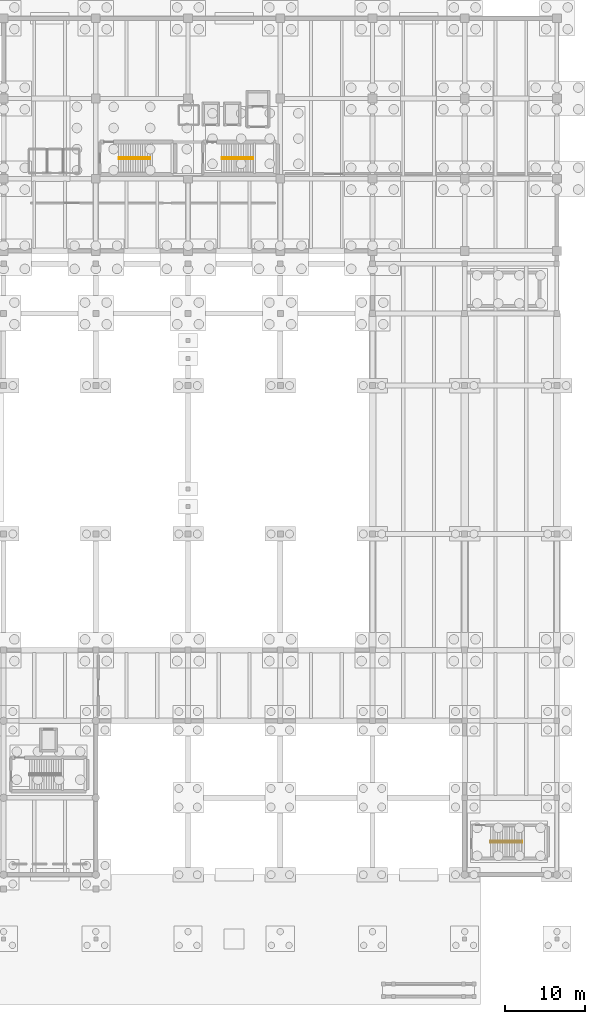
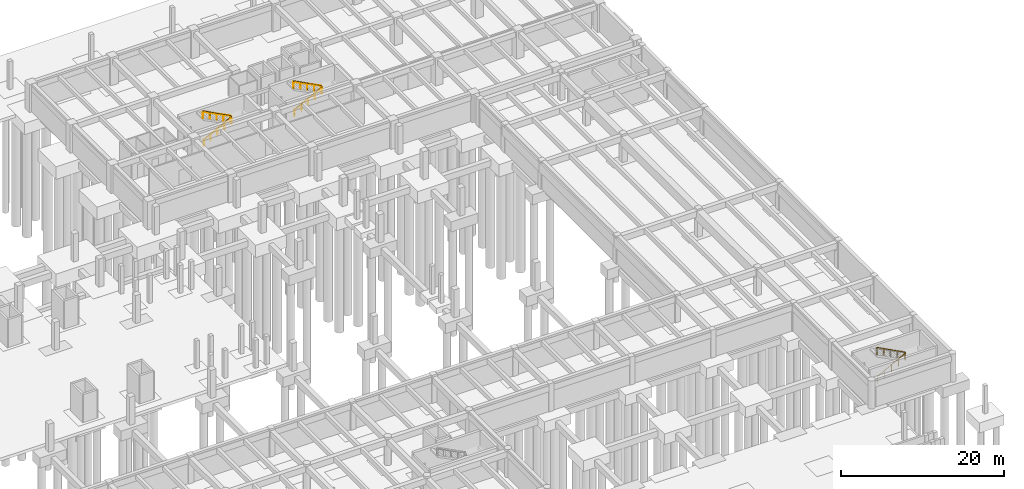
# One storey, part 27 of 28: 7 railings.
"""IFC4 building model written with IfcOpenShell, lengths in metres."""

from ifc_helpers import new_model, si_unit, direction, frame, origin, origin_2d, place, context, subcontext, project, spatial, circle, extrude, material, type_object, element, save


model = new_model("IFC4")

# Units and contexts
model_context = context("Model", 3, precision=1e-05, world=origin(), true_north=direction((0.0, 1.0)))
body_context = subcontext(model_context, "Body", "Model", "MODEL_VIEW")
ifc_project = project(units=[si_unit("LENGTHUNIT", "METRE"), si_unit("AREAUNIT", "SQUARE_METRE"), si_unit("VOLUMEUNIT", "CUBIC_METRE"), si_unit("PLANEANGLEUNIT", "RADIAN"), si_unit("MASSUNIT", "GRAM", prefix="KILO")], contexts=[model_context])

# Site, building, storey
site_placement = place(None, origin())
site = spatial("IfcSite", under=ifc_project, at=site_placement, CompositionType="ELEMENT")
building_placement = place(site_placement, origin())
building = spatial("IfcBuilding", under=site, at=building_placement, Name="Ologun Quay Terminus", CompositionType="ELEMENT")
storey_placement = place(building_placement, frame((0.0, 0.0, -8.39990234375)))
storey = spatial("IfcBuildingStorey", under=building, at=storey_placement, Name="B02", CompositionType="ELEMENT", Elevation=-8.39990234375)

# Railings
ifc_material_1 = material(Name="Steel S355", Category="steel")
railing_type_1 = type_object("IfcRailingType", Name="Stair & Landing Steel Guardrail 1100", PredefinedType="GUARDRAIL", material=ifc_material_1)
railing_1_placement = place(storey_placement, frame((129.35009765625, 97.25, 0.0)))
element("IfcRailing", 1, at=railing_1_placement, inside=storey, type_object=railing_type_1, Name="GR-ST Stair Inner Well Guard ST-E1 B02", PredefinedType="GUARDRAIL", context=body_context, shape_type="SweptSolid", body=[
    extrude(circle(Radius=0.02392578125, at=origin_2d()), frame((0.0, 0.0, 1.076171875), z_axis=(0.881990178689, 0.0, 0.471267784488), x_axis=(0.0, 1.0, 0.0)), (0.0, 0.0, 1.0), 4.455810546875),
    extrude(circle(Radius=0.02392578125, at=origin_2d()), frame((3.929931640625, 0.0, 3.17578125), z_axis=(0.0, 1.0, 0.0), x_axis=(-1.0, 0.0, 0.0)), (0.0, 0.0, 1.0), 0.199951171875),
    extrude(circle(Radius=0.02392578125, at=origin_2d()), frame((3.929931640625, 0.199951171875, 3.17578125), z_axis=(-0.881967403671, 0.0, 0.471310406062), x_axis=(0.0, -1.0, 0.0)), (0.0, 0.0, 1.0), 4.455810546875),
    extrude(circle(Radius=0.02099609375, at=origin_2d()), origin(), (0.0, 0.0, 1.0), 1.052001953125),
    extrude(circle(Radius=0.02099609375, at=origin_2d()), frame((0.982421875, 0.0, 0.52490234375)), (0.0, 0.0, 1.0), 1.052001953125),
    extrude(circle(Radius=0.02099609375, at=origin_2d()), frame((1.96484375, 0.0, 1.0498046875)), (0.0, 0.0, 1.0), 1.052001953125),
    extrude(circle(Radius=0.02099609375, at=origin_2d()), frame((2.947509765625, 0.0, 1.574951171875)), (0.0, 0.0, 1.0), 1.052001953125),
    extrude(circle(Radius=0.02099609375, at=origin_2d()), frame((3.929931640625, 0.0, 2.099853515625)), (0.0, 0.0, 1.0), 1.052001953125),
    extrude(circle(Radius=0.02099609375, at=origin_2d()), frame((3.929931640625, 0.199951171875, 2.099853515625)), (0.0, 0.0, 1.0), 1.052001953125),
    extrude(circle(Radius=0.02099609375, at=origin_2d()), frame((2.947509765625, 0.199951171875, 2.625)), (0.0, 0.0, 1.0), 1.052001953125),
    extrude(circle(Radius=0.02099609375, at=origin_2d()), frame((1.96484375, 0.199951171875, 3.14990234375)), (0.0, 0.0, 1.0), 1.052001953125),
    extrude(circle(Radius=0.02099609375, at=origin_2d()), frame((0.982421875, 0.199951171875, 3.6748046875)), (0.0, 0.0, 1.0), 1.052001953125),
    extrude(circle(Radius=0.02099609375, at=origin_2d()), frame((0.0, 0.199951171875, 4.199951171875)), (0.0, 0.0, 1.0), 1.052001953125),
])
railing_2_placement = place(storey_placement, frame((142.199951171875, 97.25, 0.0)))
element("IfcRailing", 2, at=railing_2_placement, inside=storey, type_object=railing_type_1, Name="GR-ST Stair Inner Well Guard ST-E2 B02", PredefinedType="GUARDRAIL", context=body_context, shape_type="SweptSolid", body=[
    extrude(circle(Radius=0.02392578125, at=origin_2d()), frame((0.0, 0.0, 1.076171875), z_axis=(0.881990178689, 0.0, 0.471267784488), x_axis=(0.0, 1.0, 0.0)), (0.0, 0.0, 1.0), 4.455810546875),
    extrude(circle(Radius=0.02392578125, at=origin_2d()), frame((3.929931640625, 0.0, 3.17578125), z_axis=(0.0, 1.0, 0.0), x_axis=(-1.0, 0.0, 0.0)), (0.0, 0.0, 1.0), 0.199951171875),
    extrude(circle(Radius=0.02392578125, at=origin_2d()), frame((3.929931640625, 0.199951171875, 3.17578125), z_axis=(-0.881967403671, 0.0, 0.471310406062), x_axis=(0.0, -1.0, 0.0)), (0.0, 0.0, 1.0), 4.455810546875),
    extrude(circle(Radius=0.02099609375, at=origin_2d()), origin(), (0.0, 0.0, 1.0), 1.052001953125),
    extrude(circle(Radius=0.02099609375, at=origin_2d()), frame((0.982421875, 0.0, 0.52490234375)), (0.0, 0.0, 1.0), 1.052001953125),
    extrude(circle(Radius=0.02099609375, at=origin_2d()), frame((1.96484375, 0.0, 1.0498046875)), (0.0, 0.0, 1.0), 1.052001953125),
    extrude(circle(Radius=0.02099609375, at=origin_2d()), frame((2.947509765625, 0.0, 1.574951171875)), (0.0, 0.0, 1.0), 1.052001953125),
    extrude(circle(Radius=0.02099609375, at=origin_2d()), frame((3.929931640625, 0.0, 2.099853515625)), (0.0, 0.0, 1.0), 1.052001953125),
    extrude(circle(Radius=0.02099609375, at=origin_2d()), frame((3.929931640625, 0.199951171875, 2.099853515625)), (0.0, 0.0, 1.0), 1.052001953125),
    extrude(circle(Radius=0.02099609375, at=origin_2d()), frame((2.947509765625, 0.199951171875, 2.625)), (0.0, 0.0, 1.0), 1.052001953125),
    extrude(circle(Radius=0.02099609375, at=origin_2d()), frame((1.96484375, 0.199951171875, 3.14990234375)), (0.0, 0.0, 1.0), 1.052001953125),
    extrude(circle(Radius=0.02099609375, at=origin_2d()), frame((0.982421875, 0.199951171875, 3.6748046875)), (0.0, 0.0, 1.0), 1.052001953125),
    extrude(circle(Radius=0.02099609375, at=origin_2d()), frame((0.0, 0.199951171875, 4.199951171875)), (0.0, 0.0, 1.0), 1.052001953125),
])
railing_3_placement = place(storey_placement, frame((175.699951171875, 12.0, 0.0)))
element("IfcRailing", 3, at=railing_3_placement, inside=storey, type_object=railing_type_1, Name="GR-ST Stair Inner Well Guard ST-S2 B02", PredefinedType="GUARDRAIL", context=body_context, shape_type="SweptSolid", body=[
    extrude(circle(Radius=0.02392578125, at=origin_2d()), frame((0.0, 0.0, 1.076171875), z_axis=(0.881990178689, 0.0, 0.471267784488), x_axis=(0.0, 1.0, 0.0)), (0.0, 0.0, 1.0), 4.455810546875),
    extrude(circle(Radius=0.02392578125, at=origin_2d()), frame((3.929931640625, 0.0, 3.17578125), z_axis=(0.0, 1.0, 0.0), x_axis=(-1.0, 0.0, 0.0)), (0.0, 0.0, 1.0), 0.199951171875),
    extrude(circle(Radius=0.02392578125, at=origin_2d()), frame((3.929931640625, 0.199951171875, 3.17578125), z_axis=(-0.881967403671, 0.0, 0.471310406062), x_axis=(0.0, -1.0, 0.0)), (0.0, 0.0, 1.0), 4.455810546875),
    extrude(circle(Radius=0.02099609375, at=origin_2d()), origin(), (0.0, 0.0, 1.0), 1.052001953125),
    extrude(circle(Radius=0.02099609375, at=origin_2d()), frame((0.982421875, 0.0, 0.52490234375)), (0.0, 0.0, 1.0), 1.052001953125),
    extrude(circle(Radius=0.02099609375, at=origin_2d()), frame((1.96484375, 0.0, 1.0498046875)), (0.0, 0.0, 1.0), 1.052001953125),
    extrude(circle(Radius=0.02099609375, at=origin_2d()), frame((2.947509765625, 0.0, 1.574951171875)), (0.0, 0.0, 1.0), 1.052001953125),
    extrude(circle(Radius=0.02099609375, at=origin_2d()), frame((3.929931640625, 0.0, 2.099853515625)), (0.0, 0.0, 1.0), 1.052001953125),
    extrude(circle(Radius=0.02099609375, at=origin_2d()), frame((3.929931640625, 0.199951171875, 2.099853515625)), (0.0, 0.0, 1.0), 1.052001953125),
    extrude(circle(Radius=0.02099609375, at=origin_2d()), frame((2.947509765625, 0.199951171875, 2.625)), (0.0, 0.0, 1.0), 1.052001953125),
    extrude(circle(Radius=0.02099609375, at=origin_2d()), frame((1.96484375, 0.199951171875, 3.14990234375)), (0.0, 0.0, 1.0), 1.052001953125),
    extrude(circle(Radius=0.02099609375, at=origin_2d()), frame((0.982421875, 0.199951171875, 3.6748046875)), (0.0, 0.0, 1.0), 1.052001953125),
    extrude(circle(Radius=0.02099609375, at=origin_2d()), frame((0.0, 0.199951171875, 4.199951171875)), (0.0, 0.0, 1.0), 1.052001953125),
])
ifc_material_2 = material(Name="Steel S355", Category="steel")
railing_type_2 = type_object("IfcRailingType", Name="Stair Stainless Tubular Handrail 920", PredefinedType="HANDRAIL", material=ifc_material_2)
railing_4_placement = place(storey_placement, frame((129.35009765625, 97.239990234375, 0.14990234375)))
element("IfcRailing", 4, at=railing_4_placement, inside=storey, type_object=railing_type_2, Name="HR-ST Handrail ST-E1-F1 B02", PredefinedType="HANDRAIL", context=body_context, shape_type="SweptSolid", body=[
    extrude(circle(Radius=0.02392578125, at=origin_2d()), frame((0.0, 0.0, 0.89599609375), z_axis=(0.894427191, 0.0, 0.4472135955), x_axis=(0.0, 1.0, 0.0)), (0.0, 0.0, 1.0), 4.360107421875),
    extrude(circle(Radius=0.02099609375, at=origin_2d()), origin(), (0.0, 0.0, 1.0), 0.871826171875),
    extrude(circle(Radius=0.02099609375, at=origin_2d()), frame((0.97509765625, 0.0, 0.487548828125)), (0.0, 0.0, 1.0), 0.871826171875),
    extrude(circle(Radius=0.02099609375, at=origin_2d()), frame((1.949951171875, 0.0, 0.97509765625)), (0.0, 0.0, 1.0), 0.871826171875),
    extrude(circle(Radius=0.02099609375, at=origin_2d()), frame((2.9248046875, 0.0, 1.46240234375)), (0.0, 0.0, 1.0), 0.871826171875),
    extrude(circle(Radius=0.02099609375, at=origin_2d()), frame((3.89990234375, 0.0, 1.949951171875)), (0.0, 0.0, 1.0), 0.871826171875),
])
railing_5_placement = place(storey_placement, frame((133.25, 97.4599609375, 2.25)))
element("IfcRailing", 5, at=railing_5_placement, inside=storey, type_object=railing_type_2, Name="HR-ST Handrail ST-E1-F2 B02", PredefinedType="HANDRAIL", context=body_context, shape_type="SweptSolid", body=[
    extrude(circle(Radius=0.02392578125, at=origin_2d()), frame((0.0, 0.0, 0.89599609375), z_axis=(-0.894427191, 0.0, 0.4472135955), x_axis=(0.0, -1.0, 0.0)), (0.0, 0.0, 1.0), 4.360107421875),
    extrude(circle(Radius=0.02099609375, at=origin_2d()), origin(), (0.0, 0.0, 1.0), 0.871826171875),
    extrude(circle(Radius=0.02099609375, at=origin_2d()), frame((-0.97509765625, 0.0, 0.487548828125)), (0.0, 0.0, 1.0), 0.871826171875),
    extrude(circle(Radius=0.02099609375, at=origin_2d()), frame((-1.949951171875, 0.0, 0.97509765625)), (0.0, 0.0, 1.0), 0.871826171875),
    extrude(circle(Radius=0.02099609375, at=origin_2d()), frame((-2.9248046875, 0.0, 1.46240234375)), (0.0, 0.0, 1.0), 0.871826171875),
    extrude(circle(Radius=0.02099609375, at=origin_2d()), frame((-3.89990234375, 0.0, 1.949951171875)), (0.0, 0.0, 1.0), 0.871826171875),
])
railing_6_placement = place(storey_placement, frame((142.199951171875, 97.239990234375, 0.14990234375)))
element("IfcRailing", 6, at=railing_6_placement, inside=storey, type_object=railing_type_2, Name="HR-ST Handrail ST-E2-F1 B02", PredefinedType="HANDRAIL", context=body_context, shape_type="SweptSolid", body=[
    extrude(circle(Radius=0.02392578125, at=origin_2d()), frame((0.0, 0.0, 0.89599609375), z_axis=(0.894438388696, 0.0, 0.447191199406), x_axis=(0.0, 1.0, 0.0)), (0.0, 0.0, 1.0), 4.3603515625),
    extrude(circle(Radius=0.02099609375, at=origin_2d()), origin(), (0.0, 0.0, 1.0), 0.871826171875),
    extrude(circle(Radius=0.02099609375, at=origin_2d()), frame((0.97509765625, 0.0, 0.487548828125)), (0.0, 0.0, 1.0), 0.871826171875),
    extrude(circle(Radius=0.02099609375, at=origin_2d()), frame((1.9501953125, 0.0, 0.97509765625)), (0.0, 0.0, 1.0), 0.871826171875),
    extrude(circle(Radius=0.02099609375, at=origin_2d()), frame((2.925048828125, 0.0, 1.46240234375)), (0.0, 0.0, 1.0), 0.871826171875),
    extrude(circle(Radius=0.02099609375, at=origin_2d()), frame((3.900146484375, 0.0, 1.949951171875)), (0.0, 0.0, 1.0), 0.871826171875),
])
railing_7_placement = place(storey_placement, frame((146.10009765625, 97.4599609375, 2.25)))
element("IfcRailing", 7, at=railing_7_placement, inside=storey, type_object=railing_type_2, Name="HR-ST Handrail ST-E2-F2 B02", PredefinedType="HANDRAIL", context=body_context, shape_type="SweptSolid", body=[
    extrude(circle(Radius=0.02392578125, at=origin_2d()), frame((0.0, 0.0, 0.89599609375), z_axis=(-0.894438388696, 0.0, 0.447191199406), x_axis=(0.0, -1.0, 0.0)), (0.0, 0.0, 1.0), 4.3603515625),
    extrude(circle(Radius=0.02099609375, at=origin_2d()), origin(), (0.0, 0.0, 1.0), 0.871826171875),
    extrude(circle(Radius=0.02099609375, at=origin_2d()), frame((-0.97509765625, 0.0, 0.487548828125)), (0.0, 0.0, 1.0), 0.871826171875),
    extrude(circle(Radius=0.02099609375, at=origin_2d()), frame((-1.9501953125, 0.0, 0.97509765625)), (0.0, 0.0, 1.0), 0.871826171875),
    extrude(circle(Radius=0.02099609375, at=origin_2d()), frame((-2.925048828125, 0.0, 1.46240234375)), (0.0, 0.0, 1.0), 0.871826171875),
    extrude(circle(Radius=0.02099609375, at=origin_2d()), frame((-3.900146484375, 0.0, 1.949951171875)), (0.0, 0.0, 1.0), 0.871826171875),
])

save(model, "model.ifc")
